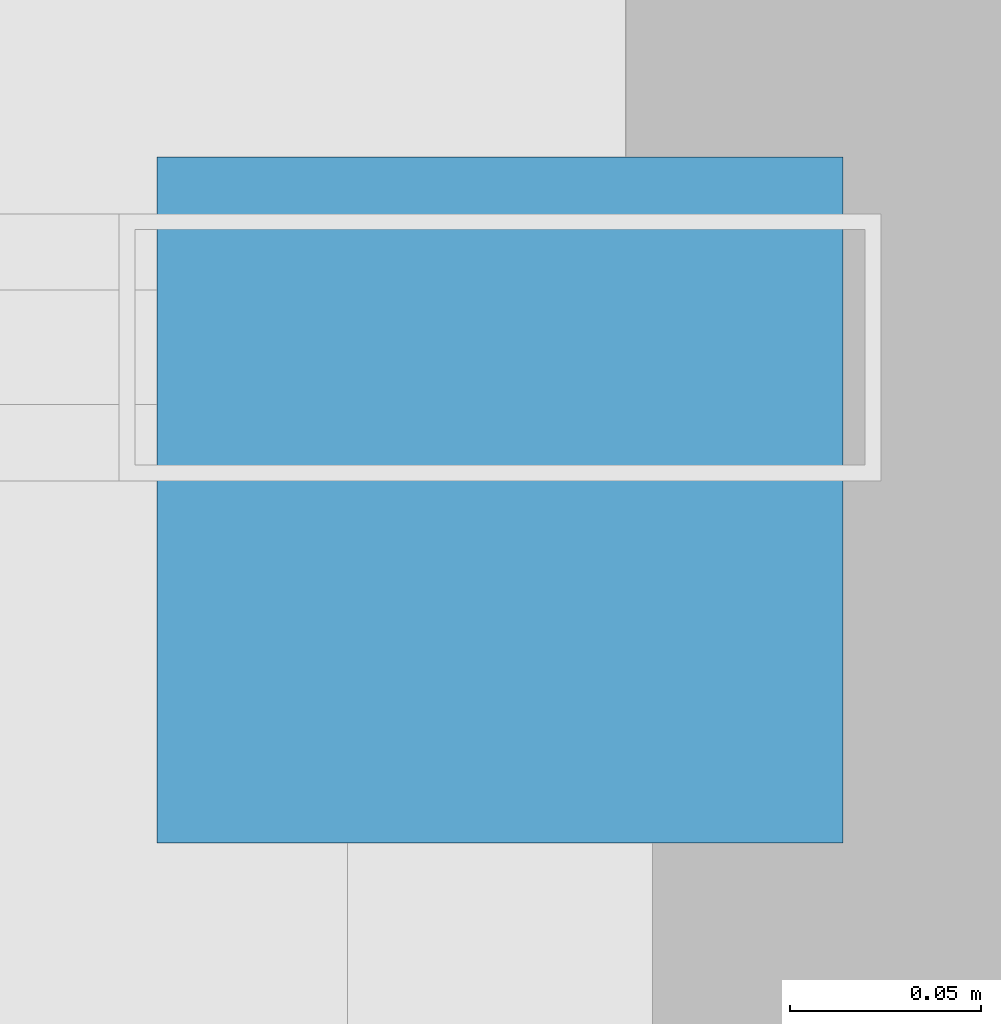
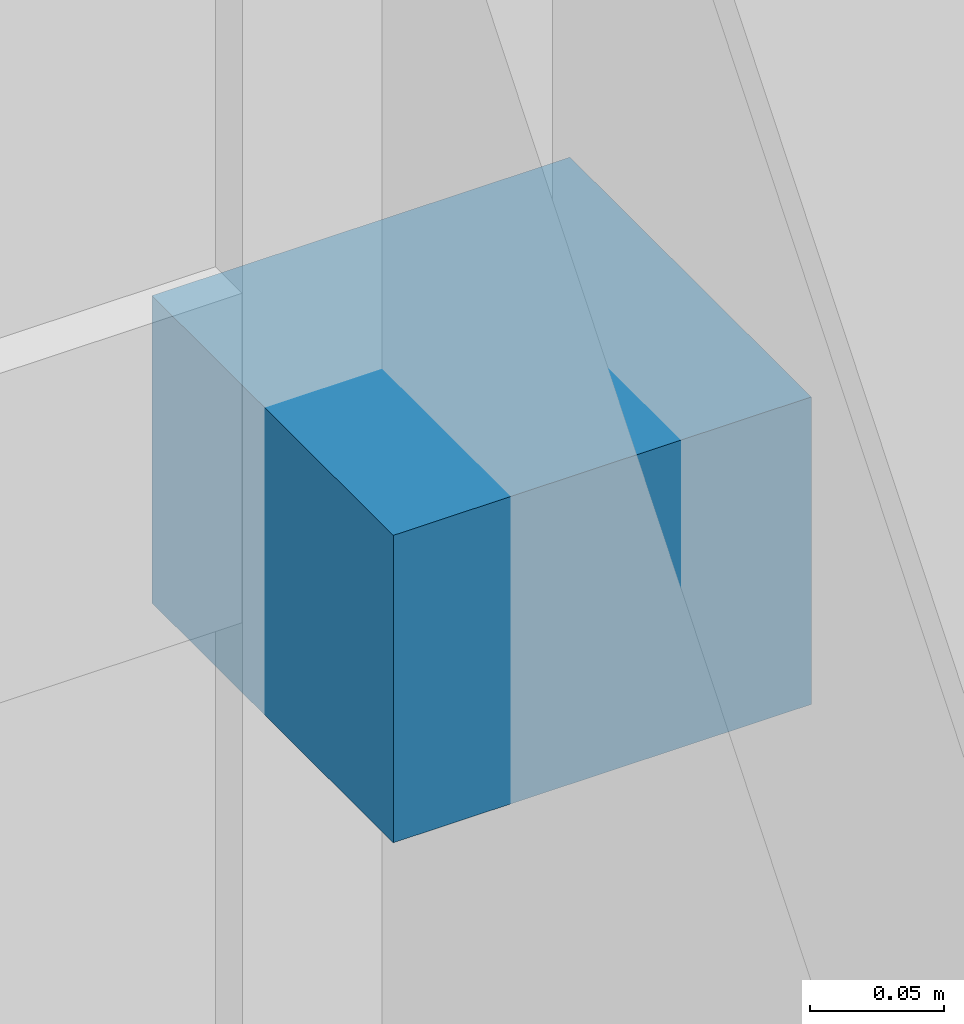
# One storey, part 34 of 41: 1 discrete accessory.
"""IFC4 building model written with IfcOpenShell, lengths in metres."""

from ifc_helpers import new_model, si_unit, direction, frame, origin, origin_2d, place, context, subcontext, project, spatial, rectangle, extrude, material, layer, layer_set, type_object, element, save


model = new_model("IFC4")

# Units and contexts
model_context = context("Model", 3, precision=1e-05, world=origin(), true_north=direction((0.0, 1.0)))
body_context = subcontext(model_context, "Body", "Model", "MODEL_VIEW")
ifc_project = project(units=[si_unit("LENGTHUNIT", "METRE"), si_unit("AREAUNIT", "SQUARE_METRE"), si_unit("VOLUMEUNIT", "CUBIC_METRE"), si_unit("PLANEANGLEUNIT", "RADIAN"), si_unit("MASSUNIT", "GRAM", prefix="KILO")], contexts=[model_context])

# Site, building, storey
site_placement = place(None, origin())
site = spatial("IfcSite", under=ifc_project, at=site_placement, CompositionType="ELEMENT")
building_placement = place(site_placement, origin())
building = spatial("IfcBuilding", under=site, at=building_placement, Name="Vaelkrest Opera House", CompositionType="ELEMENT")
storey_placement = place(building_placement, frame((0.0, 0.0, 24.60009765625)))
storey = spatial("IfcBuildingStorey", under=building, at=storey_placement, Name="L05", CompositionType="ELEMENT", Elevation=24.60009765625)

# Discrete accessory
ifc_material = material(Name="Steel A572 Gr50", Category="steel")
ifc_layer = layer(ifc_material, 0.139892578125)
ifc_layer_set = layer_set([ifc_layer], Name="Steel A572 Gr50")
discrete_accessory_type = type_object("IfcDiscreteAccessoryType", Name="BRK01", PredefinedType="BRACKET", material=ifc_layer_set)
discrete_accessory_placement = place(storey_placement, frame((-18.383056640625, -55.840087890625, 2.02880859375), z_axis=(0.0, 0.0, 1.0), x_axis=(0.0, -1.0, 0.0)))
element("IfcDiscreteAccessory", 1, at=discrete_accessory_placement, inside=storey, type_object=discrete_accessory_type, Name="Shading fin bracket 09", PredefinedType="BRACKET", context=body_context, shape_type="SweptSolid", body=[
    extrude(rectangle(XDim=0.179931640625, YDim=0.179931640625, at=origin_2d()), origin(), (0.0, 0.0, 1.0), 0.139892578125),
])

save(model, "model.ifc")
